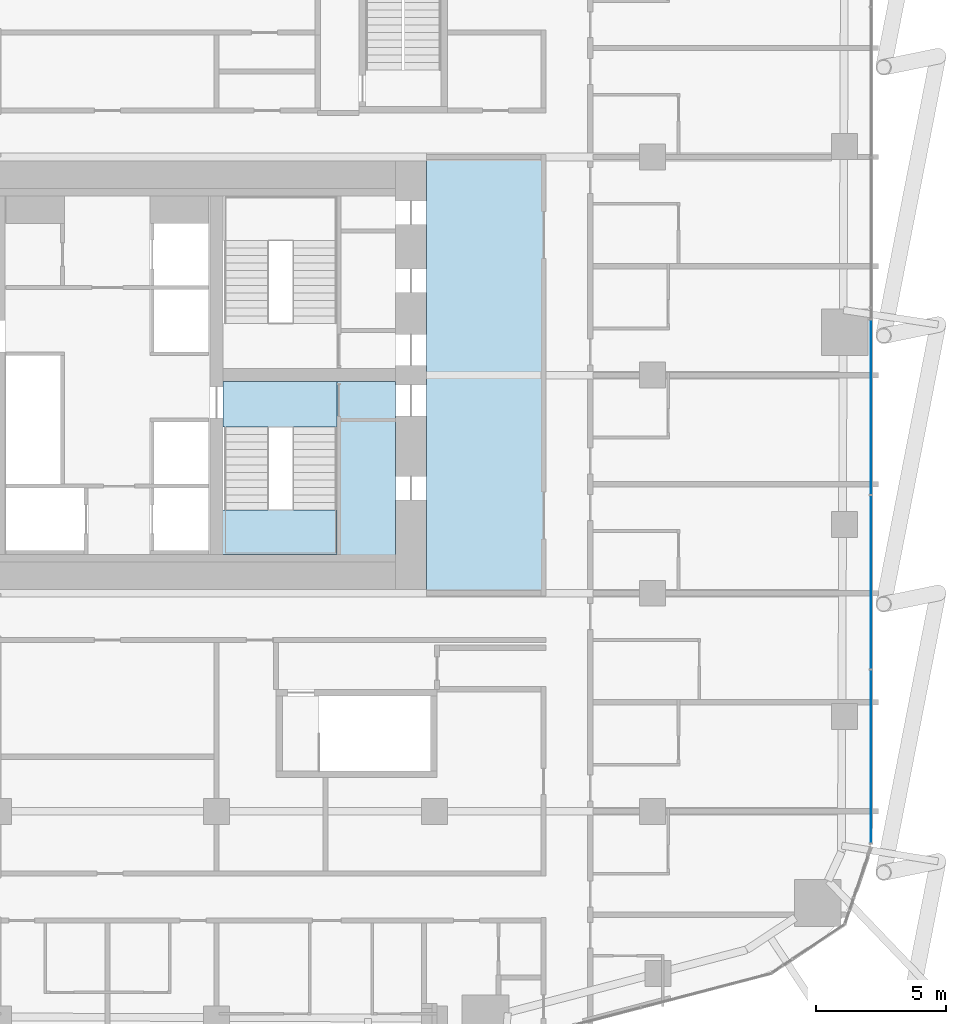
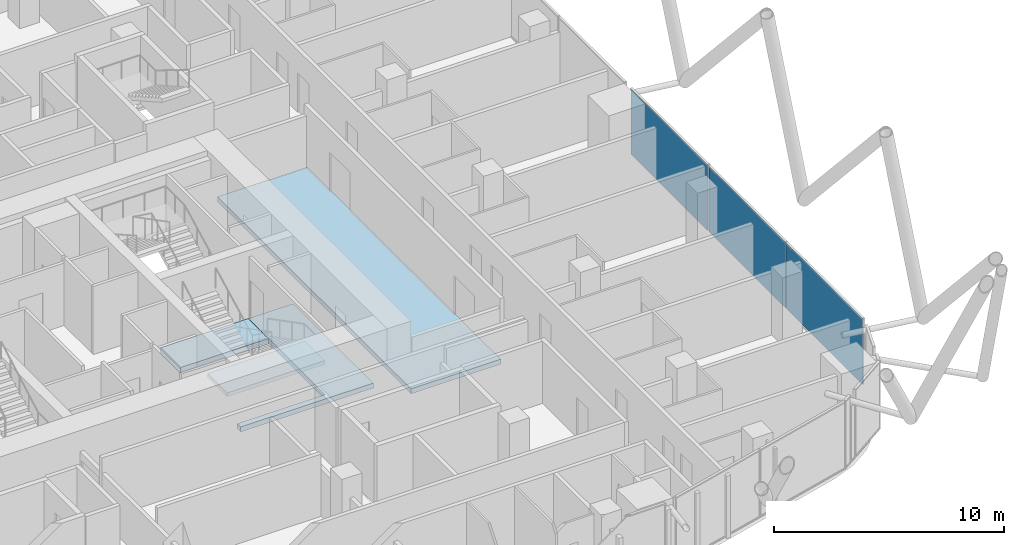
# One storey, part 23 of 36: 4 slabs, 3 plates, 2 elements without a shape of their own.
"""IFC4 building model written with IfcOpenShell, lengths in metres."""

from ifc_helpers import new_model, si_unit, direction, frame, origin, origin_2d, place, context, subcontext, project, spatial, polyline, rectangle, outline, extrude, material, layer, layer_set, type_object, element, aggregate, save


model = new_model("IFC4")

# Units and contexts
model_context = context("Model", 3, precision=1e-05, world=origin(), true_north=direction((0.0, 1.0)))
body_context = subcontext(model_context, "Body", "Model", "MODEL_VIEW")
ifc_project = project(units=[si_unit("LENGTHUNIT", "METRE"), si_unit("AREAUNIT", "SQUARE_METRE"), si_unit("VOLUMEUNIT", "CUBIC_METRE"), si_unit("PLANEANGLEUNIT", "RADIAN"), si_unit("MASSUNIT", "GRAM", prefix="KILO")], contexts=[model_context])

# Site, building, storey
site_placement = place(None, origin())
site = spatial("IfcSite", under=ifc_project, at=site_placement, CompositionType="ELEMENT")
building_placement = place(site_placement, origin())
building = spatial("IfcBuilding", under=site, at=building_placement, Name="Marenta Gate Hotel Tower", CompositionType="ELEMENT")
storey_placement = place(building_placement, frame((0.0, 0.0, 83.300048828125)))
storey = spatial("IfcBuildingStorey", under=building, at=storey_placement, Name="L19", CompositionType="ELEMENT", Elevation=83.300048828125)

# Slabs
ifc_material_1 = material(Name="Concrete C40", Category="concrete")
ifc_layer_1 = layer(ifc_material_1, 0.260009765625)
ifc_layer_set_1 = layer_set([ifc_layer_1], Name="Concrete C40")
slab_type_1 = type_object("IfcSlabType", Name="Core floor slab 260", PredefinedType="FLOOR", material=ifc_layer_set_1)
slab_1_placement = place(storey_placement, frame((0.0, 0.0, -0.260009765625)))
element("IfcSlab", 1, at=slab_1_placement, inside=storey, type_object=slab_type_1, Name="L19-CF-1", PredefinedType="FLOOR", context=body_context, shape_type="SweptSolid", body=[
    extrude(outline(polyline([(12.300048828125, 0.0), (12.300048828125, 16.800048828125), (16.800048828125, 16.800048828125), (16.800048828125, 0.0), (12.300048828125, 0.0)])), origin(), (0.0, 0.0, 1.0), 0.260009765625),
])
slab_2_placement = place(storey_placement, frame((0.0, 0.0, -0.260009765625)))
element("IfcSlab", 2, at=slab_2_placement, inside=storey, type_object=slab_type_1, Name="L19-CF-2", PredefinedType="FLOOR", context=body_context, shape_type="SweptSolid", body=[
    extrude(outline(polyline([(8.85009765625, 1.5), (8.85009765625, 6.39990234375), (8.85009765625, 8.10009765625), (8.85009765625, 8.14990234375), (11.10009765625, 8.14990234375), (11.10009765625, 1.199951171875), (4.449951171875, 1.199951171875), (4.449951171875, 1.5), (8.85009765625, 1.5)])), origin(), (0.0, 0.0, 1.0), 0.260009765625),
])

# Stair, slab
ifc_material_2 = material(Name="Concrete C40", Category="concrete")
stair_type = type_object("IfcStairType", Name="Core exit stair 1700 wide", PredefinedType="HALF_TURN_STAIR", material=ifc_material_2)
stair_placement = place(storey_placement, origin())
stair = element("IfcStair", 3, at=stair_placement, inside=storey, type_object=stair_type, Name="Exit stair 3", PredefinedType="HALF_TURN_STAIR")
ifc_material_3 = material(Name="Concrete C40", Category="concrete")
ifc_layer_2 = layer(ifc_material_3, 0.199951171875)
ifc_layer_set_2 = layer_set([ifc_layer_2], Name="Concrete C40")
slab_type_2 = type_object("IfcSlabType", Name="Core stair landing 200", PredefinedType="LANDING", material=ifc_layer_set_2)
slab_3_placement = place(storey_placement, frame((0.0, 0.0, 1.599853515625)))
slab_3 = element("IfcSlab", 4, at=slab_3_placement, type_object=slab_type_2, Name="SL-200 ST3 landing 1", PredefinedType="LANDING", context=body_context, shape_type="SweptSolid", body=[
    extrude(outline(polyline([(3.949951171875, 1.5), (8.85009765625, 1.5), (8.85009765625, 3.2099609375), (3.949951171875, 3.2099609375), (3.949951171875, 1.5)])), origin(), (0.0, 0.0, 1.0), 0.2001953125),
])
aggregate(stair, [slab_3])

# Curtain wall, plates
ifc_material_4 = material(Name="Tinted insulated glass in bronze anodised frame", Category="glass")
ifc_layer_3 = layer(ifc_material_4, 0.1201171875)
ifc_layer_set_3 = layer_set([ifc_layer_3], Name="Tinted insulated glass in bronze anodised frame")
curtain_wall_type = type_object("IfcCurtainWallType", Name="Tower unitised curtain wall CW1", PredefinedType="NOTDEFINED", material=ifc_layer_set_3)
curtain_wall_placement = place(storey_placement, origin())
curtain_wall = element("IfcCurtainWall", 5, at=curtain_wall_placement, inside=storey, type_object=curtain_wall_type, Name="CW1 run G32", PredefinedType="NOTDEFINED")
ifc_material_5 = material(Name="Tinted insulated glass", Category="glass")
ifc_layer_4 = layer(ifc_material_5, 0.028076171875)
ifc_layer_set_4 = layer_set([ifc_layer_4], Name="Tinted insulated glass")
plate_type = type_object("IfcPlateType", Name="Glass panel CW1 28 mm tinted insulated unit", PredefinedType="CURTAIN_PANEL", material=ifc_layer_set_4)
plate_1_placement = place(storey_placement, frame((29.4140625, -6.294677734375, 0.06005859375), z_axis=(0.0, 0.0, 1.0), x_axis=(0.0, 1.0, 0.0)))
plate_1 = element("IfcPlate", 6, at=plate_1_placement, type_object=plate_type, Name="CW1 panel 1.1", PredefinedType="CURTAIN_PANEL", context=body_context, shape_type="SweptSolid", body=[
    extrude(rectangle(XDim=6.640625, YDim=0.028076171875, at=origin_2d()), origin(), (0.0, 0.0, 1.0), 3.47998046875),
])
plate_2_placement = place(storey_placement, frame((29.4140625, 0.421142578125, 0.06005859375), z_axis=(0.0, 0.0, 1.0), x_axis=(0.0, 1.0, 0.0)))
plate_2 = element("IfcPlate", 7, at=plate_2_placement, type_object=plate_type, Name="CW1 panel 2.1", PredefinedType="CURTAIN_PANEL", context=body_context, shape_type="SweptSolid", body=[
    extrude(rectangle(XDim=6.670654296875, YDim=0.028076171875, at=origin_2d()), origin(), (0.0, 0.0, 1.0), 3.47998046875),
])
plate_3_placement = place(storey_placement, frame((29.4140625, 7.166748046875, 0.06005859375), z_axis=(0.0, 0.0, 1.0), x_axis=(0.0, 1.0, 0.0)))
plate_3 = element("IfcPlate", 8, at=plate_3_placement, type_object=plate_type, Name="CW1 panel 3.1", PredefinedType="CURTAIN_PANEL", context=body_context, shape_type="SweptSolid", body=[
    extrude(rectangle(XDim=6.70068359375, YDim=0.028076171875, at=origin_2d()), origin(), (0.0, 0.0, 1.0), 3.47998046875),
])
aggregate(curtain_wall, [plate_1, plate_2, plate_3])

# Slab
ifc_material_6 = material(Name="Concrete C40", Category="concrete")
ifc_layer_5 = layer(ifc_material_6, 0.300048828125)
ifc_layer_set_5 = layer_set([ifc_layer_5], Name="Concrete C40")
slab_type_3 = type_object("IfcSlabType", Name="Stair floor landing slab 300", PredefinedType="FLOOR", material=ifc_layer_set_5)
slab_4_placement = place(storey_placement, frame((0.0, 0.0, -0.300048828125)))
element("IfcSlab", 9, at=slab_4_placement, inside=storey, type_object=slab_type_3, Name="L19-CL-ST3-1", PredefinedType="FLOOR", context=body_context, shape_type="SweptSolid", body=[
    extrude(outline(polyline([(4.449951171875, 6.39990234375), (4.449951171875, 8.14990234375), (8.85009765625, 8.14990234375), (8.85009765625, 8.10009765625), (8.85009765625, 6.39990234375), (4.449951171875, 6.39990234375)])), origin(), (0.0, 0.0, 1.0), 0.300048828125),
])

save(model, "model.ifc")
